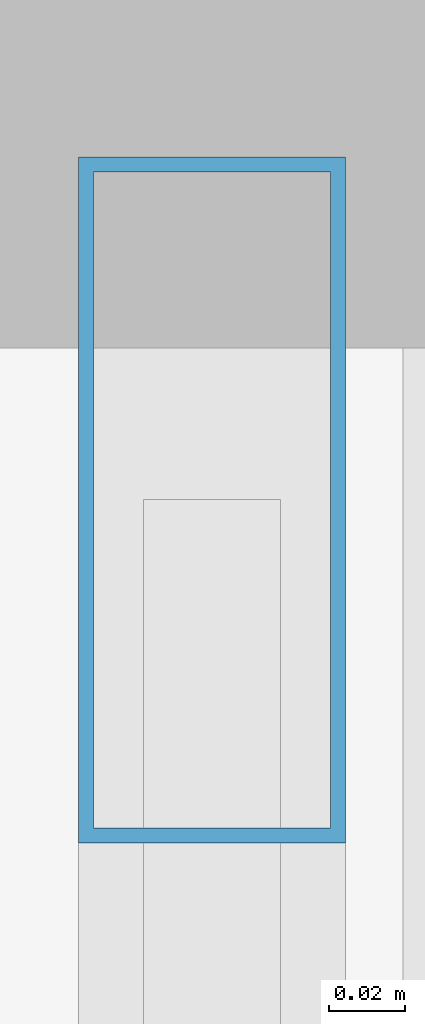
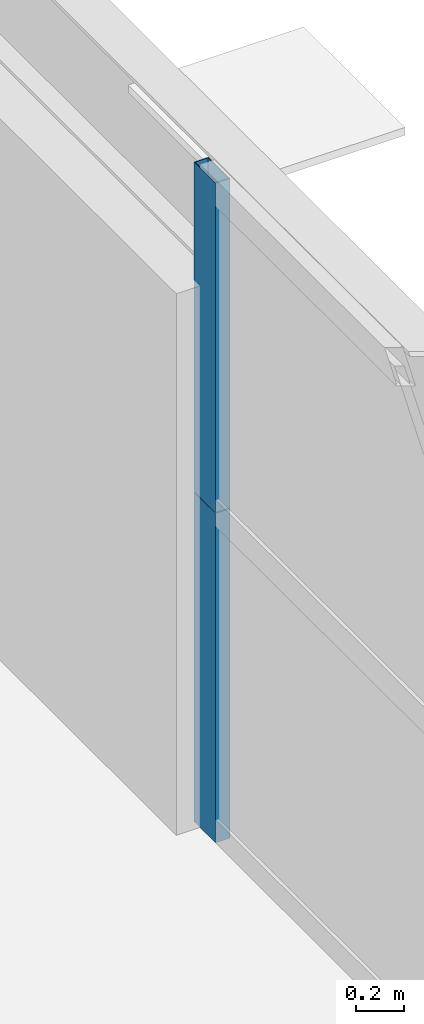
# One storey, part 34 of 43: 2 members, 1 element without a shape of its own.
"""IFC4 building model written with IfcOpenShell, lengths in metres."""

from ifc_helpers import new_model, si_unit, direction, frame, origin, origin_2d, place, context, subcontext, project, spatial, hollow_rectangle, extrude, source, transform, mapped, material, layer, layer_set, material_profile, profile_set, type_object, element, aggregate, save


model = new_model("IFC4")

# Units and contexts
model_context = context("Model", 3, precision=1e-05, world=origin(), true_north=direction((0.0, 1.0)))
body_context = subcontext(model_context, "Body", "Model", "MODEL_VIEW")
ifc_project = project(units=[si_unit("LENGTHUNIT", "METRE"), si_unit("AREAUNIT", "SQUARE_METRE"), si_unit("VOLUMEUNIT", "CUBIC_METRE"), si_unit("PLANEANGLEUNIT", "RADIAN"), si_unit("MASSUNIT", "GRAM", prefix="KILO"), si_unit("THERMODYNAMICTEMPERATUREUNIT", "KELVIN"), si_unit("POWERUNIT", "WATT")], contexts=[model_context])

# Site, building, storey
site_placement = place(None, origin())
site = spatial("IfcSite", under=ifc_project, at=site_placement, CompositionType="ELEMENT")
building_placement = place(site_placement, origin())
building = spatial("IfcBuilding", under=site, at=building_placement, Name="Yuzanri Waterfront Tower", CompositionType="ELEMENT")
storey_placement = place(building_placement, frame((0.0, 0.0, 78.39990234375)))
storey = spatial("IfcBuildingStorey", under=building, at=storey_placement, Name="L20", CompositionType="ELEMENT", Elevation=78.39990234375)

# Curtain wall, members
ifc_material_1 = material(Name="Anodized Architectural Bronze", Category="metal")
ifc_layer = layer(ifc_material_1, 0.159912109375)
ifc_layer_set = layer_set([ifc_layer], Name="Anodized Architectural Bronze")
curtain_wall_type = type_object("IfcCurtainWallType", Name="Anodized Bronze Hotel Lower-Tier Recessed Unitized Curtain Wall 8100", PredefinedType="NOTDEFINED", material=ifc_layer_set)
curtain_wall_placement = place(storey_placement, origin())
curtain_wall = element("IfcCurtainWall", 1, at=curtain_wall_placement, inside=storey, type_object=curtain_wall_type, Name="L20 Curtain Wall CW-L20-ER", PredefinedType="NOTDEFINED")
ifc_material_2 = material(Name="Anodized Architectural Bronze", Category="metal")
ifc_material_profile = material_profile(ifc_material_2, hollow_rectangle(XDim=0.070068359375, YDim=0.179931640625, WallThickness=0.00390625, at=origin_2d()), Name="CWM 70x180")
ifc_profile_set = profile_set([ifc_material_profile], Name="Anodized Architectural Bronze")
member_type = type_object("IfcMemberType", Name="Anodized Bronze Standard Curtain-Wall Mullion 70x180", PredefinedType="MULLION", material=ifc_profile_set)
shared_shape = source(origin(), body_context, "Body", "SweptSolid", [
    extrude(hollow_rectangle(XDim=0.070068359375, YDim=0.179931640625, WallThickness=0.00390625, at=origin_2d()), origin(), (0.0, 0.0, 1.0), 1.68798828125),
])
member_1_placement = place(storey_placement, frame((61.949951171875, 43.510009765625, 0.0), z_axis=(0.0, 0.0, 1.0), x_axis=(1.0, 0.0, 0.0)))
member_1 = element("IfcMember", 2, at=member_1_placement, type_object=member_type, Name="CW-L20-ER Lower Mullion 02", PredefinedType="MULLION", context=body_context, shape_type="MappedRepresentation", body=[
    mapped(shared_shape, transform((0.0, 0.0, 0.0), scale=1.0)),
])
member_2_placement = place(storey_placement, frame((61.949951171875, 43.510009765625, 1.692138671875), z_axis=(0.0, 0.0, 1.0), x_axis=(1.0, 0.0, 0.0)))
member_2 = element("IfcMember", 3, at=member_2_placement, type_object=member_type, Name="CW-L20-ER Upper Mullion 02", PredefinedType="MULLION", context=body_context, shape_type="MappedRepresentation", body=[
    mapped(shared_shape, transform((0.0, 0.0, 0.0), scale=1.0)),
])
aggregate(curtain_wall, [member_1, member_2])

save(model, "model.ifc")
